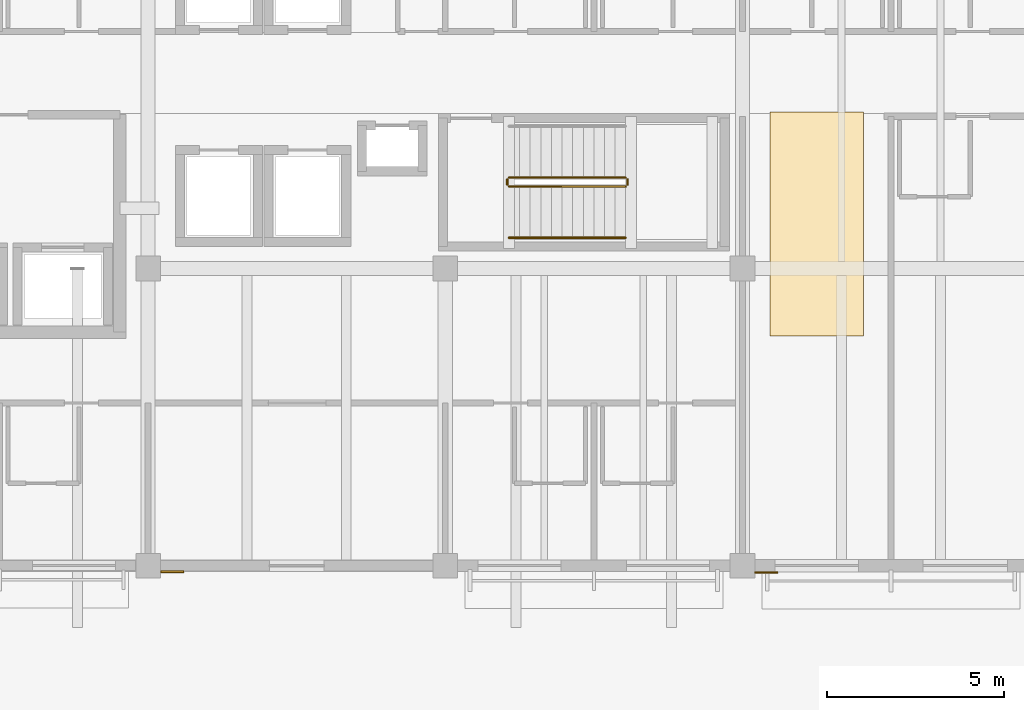
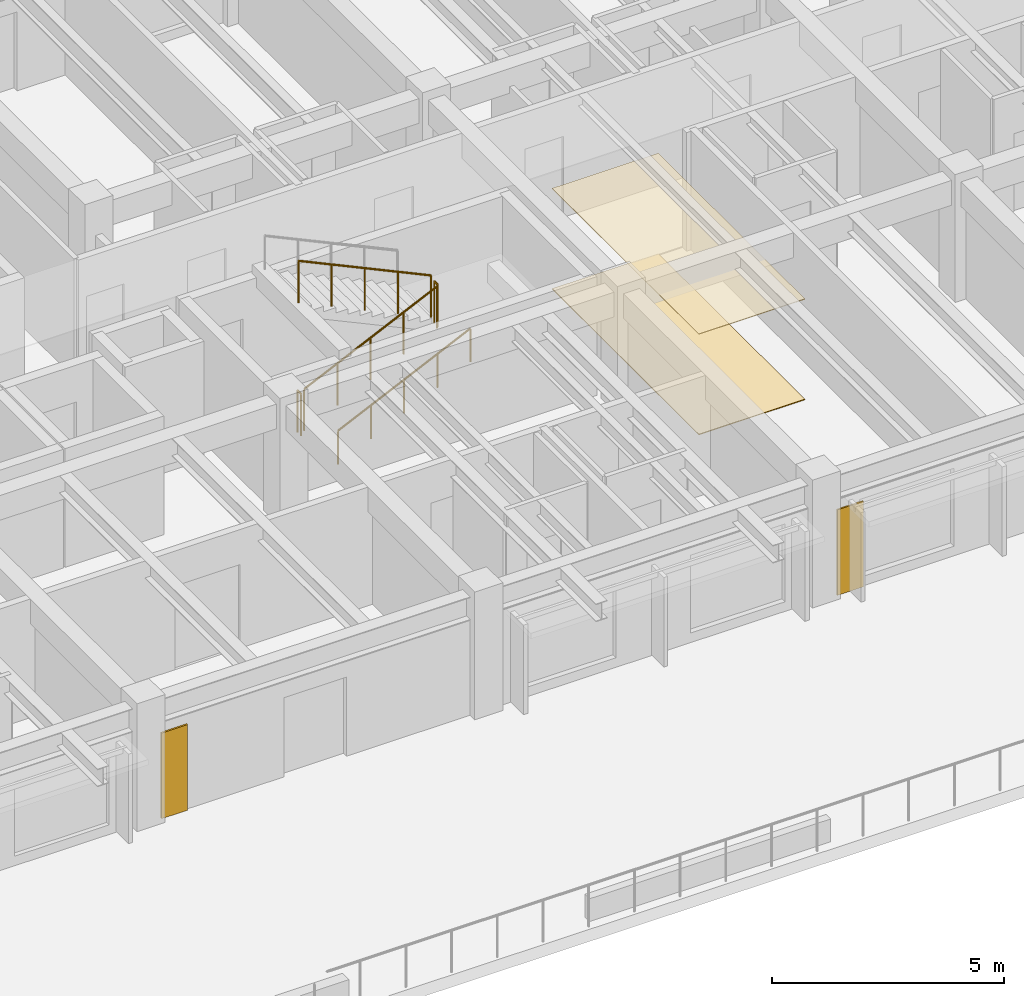
# One storey, part 108 of 111: 5 railings, 4 coverings.
"""IFC4 building model written with IfcOpenShell, lengths in metres."""

from ifc_helpers import new_model, si_unit, direction, frame, origin, origin_2d, place, context, subcontext, project, spatial, polyline, circle, outline, extrude, material, layer, layer_set, type_object, element, save


model = new_model("IFC4")

# Units and contexts
model_context = context("Model", 3, precision=1e-05, world=origin(), true_north=direction((0.0, 1.0)))
body_context = subcontext(model_context, "Body", "Model", "MODEL_VIEW")
ifc_project = project(units=[si_unit("LENGTHUNIT", "METRE"), si_unit("AREAUNIT", "SQUARE_METRE"), si_unit("VOLUMEUNIT", "CUBIC_METRE"), si_unit("PLANEANGLEUNIT", "RADIAN"), si_unit("MASSUNIT", "GRAM", prefix="KILO")], contexts=[model_context])

# Site, building, storey
site_placement = place(None, origin())
site = spatial("IfcSite", under=ifc_project, at=site_placement, CompositionType="ELEMENT")
building_placement = place(site_placement, origin())
building = spatial("IfcBuilding", under=site, at=building_placement, Name="Cumbredor Promenade Congress Hotel", CompositionType="ELEMENT")
storey_placement = place(building_placement, frame((0.0, 0.0, 15.1201171875)))
storey = spatial("IfcBuildingStorey", under=building, at=storey_placement, Name="L04", CompositionType="ELEMENT", Elevation=15.1201171875)

# Coverings
ifc_material_1 = material(Name="Acoustic mineral-fiber and gypsum ceiling")
ifc_layer_1 = layer(ifc_material_1, 0.01806640625, Name="Acoustic mineral-fiber and gypsum ceiling")
ifc_layer_set_1 = layer_set([ifc_layer_1], Name="Acoustic mineral-fiber and gypsum ceiling")
covering_type_1 = type_object("IfcCoveringType", Name="Acoustic Perforated Gypsum Ceiling CLG-01 18mm", PredefinedType="CEILING", material=ifc_layer_set_1)
covering_1_placement = place(storey_placement, frame((0.0, 0.0, 2.639892578125)))
element("IfcCovering", 1, at=covering_1_placement, inside=storey, type_object=covering_type_1, Name="L04 East Corridor Connector Acoustic Ceiling", PredefinedType="CEILING", context=body_context, shape_type="SweptSolid", body=[
    extrude(outline(polyline([(51.179931640625, 105.219970703125), (53.820068359375, 105.219970703125), (53.820068359375, 98.89990234375), (51.179931640625, 98.89990234375), (51.179931640625, 105.219970703125)])), origin(), (0.0, 0.0, 1.0), 0.01806640625),
])
ifc_material_2 = material(Name="Precast concrete C40/50", Category="concrete")
ifc_layer_2 = layer(ifc_material_2, 0.044921875, Name="Precast concrete C40/50", Category="concrete")
ifc_layer_set_2 = layer_set([ifc_layer_2], Name="Precast concrete C40/50")
covering_type_2 = type_object("IfcCoveringType", Name="Board-Formed Architectural Cladding Panel 45mm", PredefinedType="CLADDING", material=ifc_layer_set_2)
covering_2_placement = place(storey_placement, origin())
element("IfcCovering", 2, at=covering_2_placement, inside=storey, type_object=covering_type_2, Name="L04 Facade Stone Cladding Pier 176", PredefinedType="CLADDING", context=body_context, shape_type="SweptSolid", body=[
    extrude(outline(polyline([(33.950927734375, 92.25), (34.60107421875, 92.25), (34.60107421875, 92.205078125), (33.950927734375, 92.205078125), (33.950927734375, 92.25)])), origin(), (0.0, 0.0, 1.0), 2.25),
])

# Railings
ifc_material_3 = material(Name="Brushed stainless steel", Category="steel")
railing_type_1 = type_object("IfcRailingType", Name="Interior Void & Stair Guardrail GR-1100", PredefinedType="GUARDRAIL", material=ifc_material_3)
railing_1_placement = place(storey_placement, frame((43.800048828125, 103.1201171875, 0.139892578125)))
element("IfcRailing", 3, at=railing_1_placement, inside=storey, type_object=railing_type_1, Name="L04 ST-03 stair guard 1", PredefinedType="GUARDRAIL", context=body_context, shape_type="SweptSolid", body=[
    extrude(circle(Radius=0.02392578125, at=origin_2d()), frame((0.0, 0.0, 1.09619140625), z_axis=(0.906181427284, 0.0, 0.422889135408), x_axis=(0.0, 1.0, 0.0)), (0.0, 0.0, 1.0), 3.6416015625),
    extrude(circle(Radius=0.02099609375, at=origin_2d()), origin(), (0.0, 0.0, 1.0), 1.072021484375),
    extrude(circle(Radius=0.02099609375, at=origin_2d()), frame((0.824951171875, 0.0, 0.385009765625)), (0.0, 0.0, 1.0), 1.072021484375),
    extrude(circle(Radius=0.02099609375, at=origin_2d()), frame((1.64990234375, 0.0, 0.77001953125)), (0.0, 0.0, 1.0), 1.072021484375),
    extrude(circle(Radius=0.02099609375, at=origin_2d()), frame((2.47509765625, 0.0, 1.155029296875)), (0.0, 0.0, 1.0), 1.072021484375),
    extrude(circle(Radius=0.02099609375, at=origin_2d()), frame((3.300048828125, 0.0, 1.5400390625)), (0.0, 0.0, 1.0), 1.072021484375),
])
railing_2_placement = place(storey_placement, frame((47.14990234375, 103.169921875, 1.679931640625)))
element("IfcRailing", 4, at=railing_2_placement, inside=storey, type_object=railing_type_1, Name="L04 ST-03 stair guard 2", PredefinedType="GUARDRAIL", context=body_context, shape_type="SweptSolid", body=[
    extrude(circle(Radius=0.02392578125, at=origin_2d()), frame((0.0, 0.0, 1.09619140625), z_axis=(0.0, 1.0, 0.0), x_axis=(-1.0, 0.0, 0.0)), (0.0, 0.0, 1.0), 0.150146484375),
    extrude(circle(Radius=0.02099609375, at=origin_2d()), origin(), (0.0, 0.0, 1.0), 1.072021484375),
    extrude(circle(Radius=0.02099609375, at=origin_2d()), frame((0.0, 0.150146484375, 0.0)), (0.0, 0.0, 1.0), 1.072021484375),
])
railing_3_placement = place(storey_placement, frame((47.10009765625, 103.3701171875, 1.81982421875)))
element("IfcRailing", 5, at=railing_3_placement, inside=storey, type_object=railing_type_1, Name="L04 ST-03 stair guard 3", PredefinedType="GUARDRAIL", context=body_context, shape_type="SweptSolid", body=[
    extrude(circle(Radius=0.02392578125, at=origin_2d()), frame((0.0, 0.0, 1.09619140625), z_axis=(-0.906181427284, 0.0, 0.422889135408), x_axis=(0.0, -1.0, 0.0)), (0.0, 0.0, 1.0), 3.6416015625),
    extrude(circle(Radius=0.02099609375, at=origin_2d()), origin(), (0.0, 0.0, 1.0), 1.072021484375),
    extrude(circle(Radius=0.02099609375, at=origin_2d()), frame((-0.824951171875, 0.0, 0.385009765625)), (0.0, 0.0, 1.0), 1.072021484375),
    extrude(circle(Radius=0.02099609375, at=origin_2d()), frame((-1.64990234375, 0.0, 0.77001953125)), (0.0, 0.0, 1.0), 1.072021484375),
    extrude(circle(Radius=0.02099609375, at=origin_2d()), frame((-2.47509765625, 0.0, 1.155029296875)), (0.0, 0.0, 1.0), 1.072021484375),
    extrude(circle(Radius=0.02099609375, at=origin_2d()), frame((-3.300048828125, 0.0, 1.5400390625)), (0.0, 0.0, 1.0), 1.072021484375),
])
railing_4_placement = place(storey_placement, frame((43.75, 103.169921875, 0.0)))
element("IfcRailing", 6, at=railing_4_placement, inside=storey, type_object=railing_type_1, Name="L04 ST-03 stair guard 4", PredefinedType="GUARDRAIL", context=body_context, shape_type="SweptSolid", body=[
    extrude(circle(Radius=0.02392578125, at=origin_2d()), frame((0.0, 0.0, 1.09619140625), z_axis=(0.0, 1.0, 0.0), x_axis=(-1.0, 0.0, 0.0)), (0.0, 0.0, 1.0), 0.150146484375),
    extrude(circle(Radius=0.02099609375, at=origin_2d()), origin(), (0.0, 0.0, 1.0), 1.072021484375),
    extrude(circle(Radius=0.02099609375, at=origin_2d()), frame((0.0, 0.150146484375, 0.0)), (0.0, 0.0, 1.0), 1.072021484375),
])

# Covering
ifc_material_4 = material(Name="Porcelain stoneware tile", Category="masonry")
ifc_layer_3 = layer(ifc_material_4, 0.02001953125, Name="Porcelain stoneware tile", Category="masonry")
ifc_layer_set_3 = layer_set([ifc_layer_3], Name="Porcelain stoneware tile")
covering_type_3 = type_object("IfcCoveringType", Name="Porcelain Stoneware Flooring FLR-01 20mm", PredefinedType="FLOORING", material=ifc_layer_set_3)
covering_3_placement = place(storey_placement, origin())
element("IfcCovering", 7, at=covering_3_placement, inside=storey, type_object=covering_type_3, Name="L04 East Corridor Connector Porcelain Flooring", PredefinedType="FLOORING", context=body_context, shape_type="SweptSolid", body=[
    extrude(outline(polyline([(51.179931640625, 105.219970703125), (53.820068359375, 105.219970703125), (53.820068359375, 98.89990234375), (51.179931640625, 98.89990234375), (51.179931640625, 105.219970703125)])), origin(), (0.0, 0.0, 1.0), 0.019775390625),
])

# Railing
railing_type_2 = type_object("IfcRailingType", Name="Stair Pitch Handrail HR-900", PredefinedType="HANDRAIL", material=ifc_material_3)
railing_5_placement = place(storey_placement, frame((43.800048828125, 101.669921875, 0.139892578125)))
element("IfcRailing", 8, at=railing_5_placement, inside=storey, type_object=railing_type_2, Name="L04 ST-03 stair handrail 1", PredefinedType="HANDRAIL", context=body_context, shape_type="SweptSolid", body=[
    extrude(circle(Radius=0.02392578125, at=origin_2d()), frame((0.0, 0.0, 0.8759765625), z_axis=(0.906181427284, 0.0, 0.422889135408), x_axis=(0.0, 1.0, 0.0)), (0.0, 0.0, 1.0), 3.6416015625),
    extrude(circle(Radius=0.02099609375, at=origin_2d()), origin(), (0.0, 0.0, 1.0), 0.851806640625),
    extrude(circle(Radius=0.02099609375, at=origin_2d()), frame((0.824951171875, 0.0, 0.385009765625)), (0.0, 0.0, 1.0), 0.851806640625),
    extrude(circle(Radius=0.02099609375, at=origin_2d()), frame((1.64990234375, 0.0, 0.77001953125)), (0.0, 0.0, 1.0), 0.851806640625),
    extrude(circle(Radius=0.02099609375, at=origin_2d()), frame((2.47509765625, 0.0, 1.155029296875)), (0.0, 0.0, 1.0), 0.851806640625),
    extrude(circle(Radius=0.02099609375, at=origin_2d()), frame((3.300048828125, 0.0, 1.5400390625)), (0.0, 0.0, 1.0), 0.851806640625),
])

# Covering
ifc_material_5 = material(Name="Volcanic andesite ashlar cladding", Category="masonry")
ifc_layer_4 = layer(ifc_material_5, 0.034912109375, Name="Volcanic andesite ashlar cladding", Category="masonry")
ifc_layer_set_4 = layer_set([ifc_layer_4], Name="Volcanic andesite ashlar cladding")
covering_type_4 = type_object("IfcCoveringType", Name="Volcanic Andesite Ashlar Rainscreen Cladding 35mm", PredefinedType="CLADDING", material=ifc_layer_set_4)
covering_4_placement = place(storey_placement, origin())
element("IfcCovering", 9, at=covering_4_placement, inside=storey, type_object=covering_type_4, Name="L04 Facade Stone Cladding Pier 177", PredefinedType="CLADDING", context=body_context, shape_type="SweptSolid", body=[
    extrude(outline(polyline([(50.7509765625, 92.22509765625), (51.40087890625, 92.22509765625), (51.40087890625, 92.18994140625), (50.7509765625, 92.18994140625), (50.7509765625, 92.22509765625)])), origin(), (0.0, 0.0, 1.0), 2.25),
])

save(model, "model.ifc")
